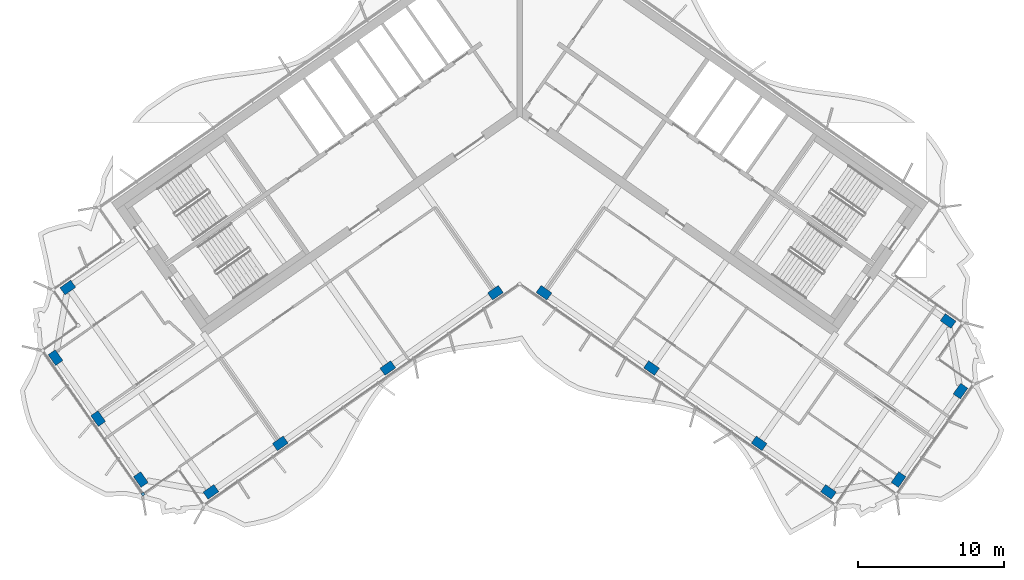
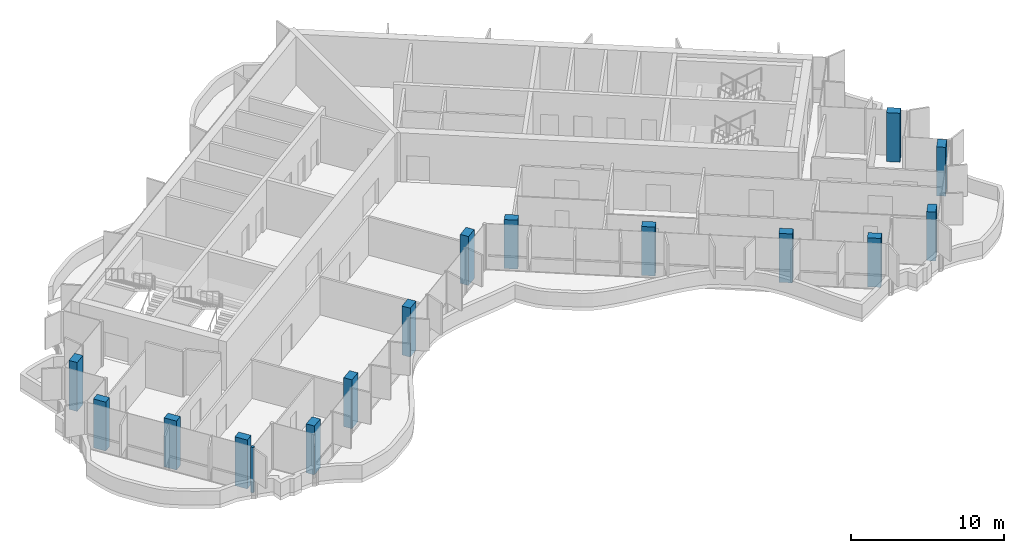
# One storey, part 1 of 18: 15 columns, 1 member, 1 element without a shape of its own.
"""IFC4 building model written with IfcOpenShell, lengths in metres."""

from ifc_helpers import new_model, si_unit, direction, frame, origin, origin_2d, place, context, subcontext, project, spatial, rectangle, extrude, material, material_profile, profile_set, type_object, element, aggregate, save


model = new_model("IFC4")

# Units and contexts
model_context = context("Model", 3, precision=1e-05, world=origin(), true_north=direction((0.0, 1.0)))
body_context = subcontext(model_context, "Body", "Model", "MODEL_VIEW")
ifc_project = project(units=[si_unit("LENGTHUNIT", "METRE"), si_unit("AREAUNIT", "SQUARE_METRE"), si_unit("VOLUMEUNIT", "CUBIC_METRE"), si_unit("PLANEANGLEUNIT", "RADIAN"), si_unit("MASSUNIT", "GRAM", prefix="KILO")], contexts=[model_context])

# Site, building, storey
site_placement = place(None, origin())
site = spatial("IfcSite", under=ifc_project, at=site_placement, CompositionType="ELEMENT")
building_placement = place(site_placement, origin())
building = spatial("IfcBuilding", under=site, at=building_placement, Name="Tel Ilan Convention Tower", CompositionType="ELEMENT")
storey_placement = place(building_placement, frame((0.0, 0.0, 252.699951171875)))
storey = spatial("IfcBuildingStorey", under=building, at=storey_placement, Name="L59", CompositionType="ELEMENT", Elevation=252.699951171875)

# Columns
ifc_material_1 = material(Name="Concrete C40/50", Category="concrete")
ifc_material_profile_1 = material_profile(ifc_material_1, rectangle(XDim=0.89990234375, YDim=0.60009765625, at=origin_2d()), Name="RC 600x900")
ifc_profile_set_1 = profile_set([ifc_material_profile_1], Name="Concrete C40/50")
column_type = type_object("IfcColumnType", Name="Column RC 600x900 C40/50", PredefinedType="COLUMN", material=ifc_profile_set_1)
for number, where, z_axis, x_axis, name in (
    (1, (-1.665283203125, -13.312744140625, 0.0), (0.0, 0.0, 1.0), (-0.819152044289, -0.573576436351, 0.0), "L59 column W-F1"),
    (2, (-9.03759765625, -18.474853515625, 0.0), (0.0, 0.0, 1.0), (-0.819152044289, -0.573576436351, 0.0), "L59 column W-F2"),
    (3, (-16.409912109375, -23.63720703125, 0.0), (0.0, 0.0, 1.0), (-0.819152044289, -0.573576436351, 0.0), "L59 column W-F3"),
    (4, (-21.1611328125, -26.9638671875, 0.0), (0.0, 0.0, 1.0), (-0.819152044289, -0.573576436351, 0.0), "L59 column W-FC"),
    (5, (-30.96923828125, -12.956298828125, 0.0), (0.0, 0.0, 1.0), (-0.819152044289, -0.573576436351, 0.0), "L59 column W-BC"),
    (6, (-25.966064453125, -26.11669921875, 0.0), (0.0, 0.0, 1.0), (-0.573576436351, 0.819152044289, 0.0), "L59 column W-E1"),
    (7, (-28.891357421875, -21.93896484375, 0.0), (0.0, 0.0, 1.0), (-0.573576436351, 0.819152044289, 0.0), "L59 column W-E2"),
    (8, (-31.81640625, -17.76123046875, 0.0), (0.0, 0.0, 1.0), (-0.573576436351, 0.819152044289, 0.0), "L59 column W-E3"),
    (9, (1.665283203125, -13.312744140625, 0.0), (0.0, 0.0, 1.0), (0.819152044289, -0.573576436351, 0.0), "L59 column E-F1"),
    (10, (9.03759765625, -18.474853515625, 0.0), (0.0, 0.0, 1.0), (0.819152044289, -0.573576436351, 0.0), "L59 column E-F2"),
    (11, (16.409912109375, -23.63720703125, 0.0), (0.0, 0.0, 1.0), (0.819152044289, -0.573576436351, 0.0), "L59 column E-F3"),
    (12, (21.1611328125, -26.9638671875, 0.0), (0.0, 0.0, 1.0), (0.819152044289, -0.573576436351, 0.0), "L59 column E-FC"),
    (13, (29.36328125, -15.25, 0.0), (0.0, 0.0, 1.0), (0.819152044289, -0.573576436351, 0.0), "L59 column E-BC"),
    (14, (25.966064453125, -26.11669921875, 0.0), (0.0, 0.0, 1.0), (0.573576436351, 0.819152044289, 0.0), "L59 column E-E1"),
    (15, (30.21044921875, -20.054931640625, 0.0), (0.0, 0.0, 1.0), (0.573576436351, 0.819152044289, 0.0), "L59 column E-E2"),
):
    element("IfcColumn", number, at=place(storey_placement, frame(where, z_axis=z_axis, x_axis=x_axis)), inside=storey, type_object=column_type, Name=name, PredefinedType="COLUMN", context=body_context, shape_type="SweptSolid", body=[
        extrude(rectangle(XDim=0.89990234375, YDim=0.60009765625, at=origin_2d()), origin(), (0.0, 0.0, 1.0), 3.900146484375),
    ])

# Curtain wall, member
ifc_material_2 = material(Name="Aluminium, bronze anodised", Category="aluminium")
curtain_wall_type = type_object("IfcCurtainWallType", Name="CW5 STICK CURTAIN WALL, UPPER OFFICE LOW-IRON TINTED GLASS", PredefinedType="NOTDEFINED", material=ifc_material_2)
curtain_wall_placement = place(storey_placement, origin())
curtain_wall = element("IfcCurtainWall", 16, at=curtain_wall_placement, inside=storey, type_object=curtain_wall_type, Name="Curtain wall CW5-46.02", PredefinedType="NOTDEFINED")
ifc_material_3 = material(Name="Aluminium, bronze anodised", Category="aluminium")
ifc_material_profile_2 = material_profile(ifc_material_3, rectangle(XDim=0.199951171875, YDim=0.199951171875, at=origin_2d()), Name="CW CORNER MULLION 200x200")
ifc_profile_set_2 = profile_set([ifc_material_profile_2], Name="Aluminium, bronze anodised")
member_type = type_object("IfcMemberType", Name="CW CORNER MULLION 200x200", PredefinedType="MULLION", material=ifc_profile_set_2)
member_placement = place(storey_placement, frame((-25.818359375, -27.112060546875, 0.0), z_axis=(0.0, 0.0, 1.0), x_axis=(0.573576436351, -0.819152044289, 0.0)))
member = element("IfcMember", 17, at=member_placement, type_object=member_type, Name="Corner mullion", PredefinedType="MULLION", context=body_context, shape_type="SweptSolid", body=[
    extrude(rectangle(XDim=0.199951171875, YDim=0.199951171875, at=origin_2d()), origin(), (0.0, 0.0, 1.0), 3.6201171875),
])
aggregate(curtain_wall, [member])

save(model, "model.ifc")
